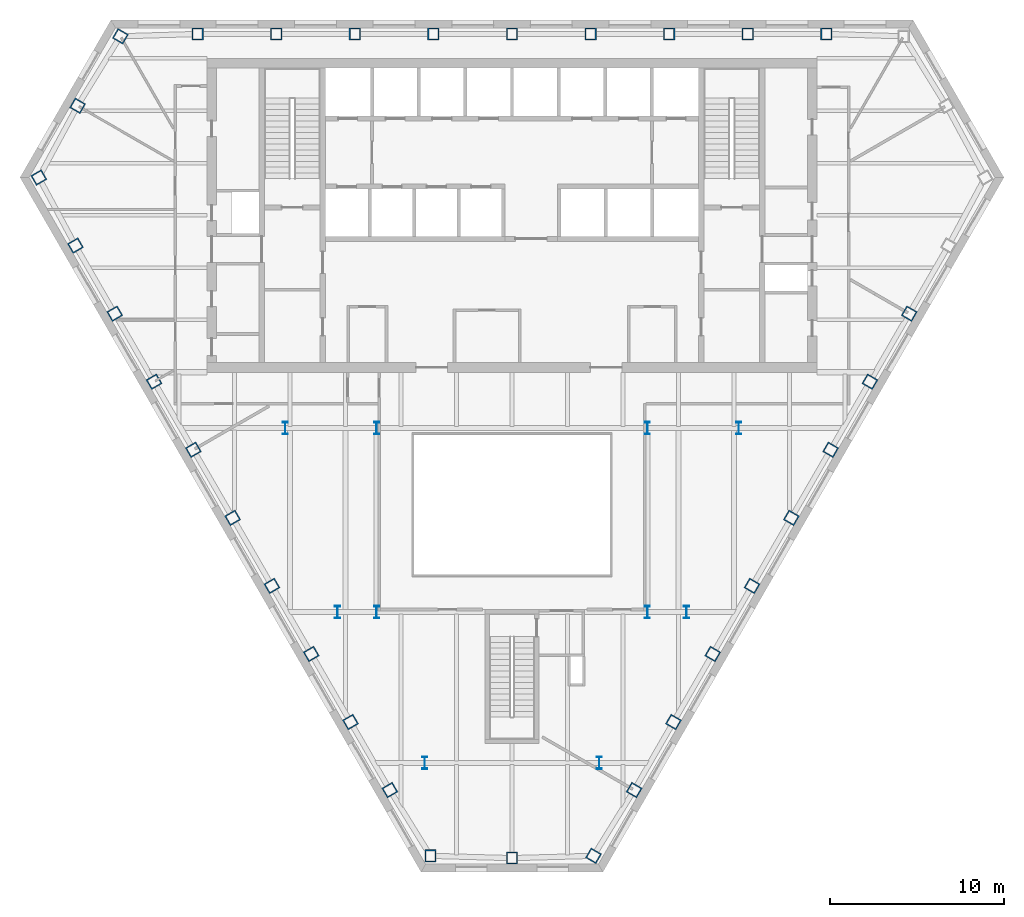
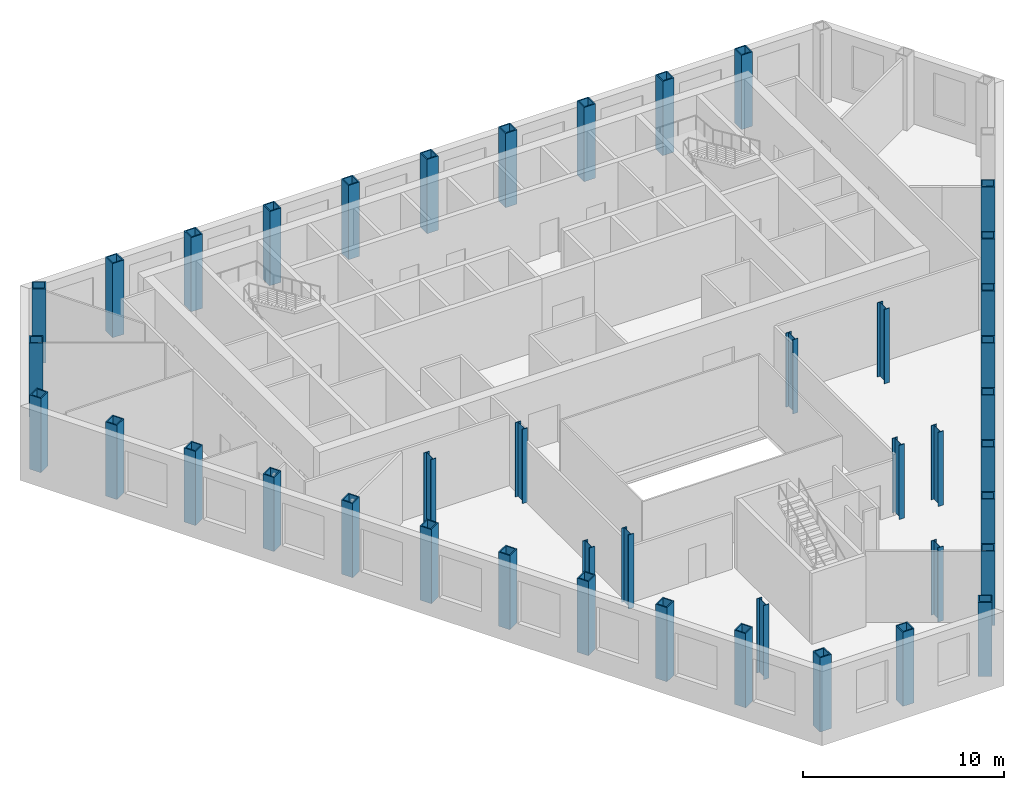
# One storey, part 1 of 11: 42 columns.
"""IFC4 building model written with IfcOpenShell, lengths in metres."""

from ifc_helpers import new_model, si_unit, direction, frame, origin, origin_2d, place, context, subcontext, project, spatial, hollow_rectangle, i_section, extrude, material, material_profile, profile_set, type_object, element, save


model = new_model("IFC4")

# Units and contexts
model_context = context("Model", 3, precision=1e-05, world=origin(), true_north=direction((0.0, 1.0)))
body_context = subcontext(model_context, "Body", "Model", "MODEL_VIEW")
ifc_project = project(units=[si_unit("LENGTHUNIT", "METRE"), si_unit("AREAUNIT", "SQUARE_METRE"), si_unit("VOLUMEUNIT", "CUBIC_METRE"), si_unit("PLANEANGLEUNIT", "RADIAN"), si_unit("MASSUNIT", "GRAM", prefix="KILO")], contexts=[model_context])

# Site, building, storey
site_placement = place(None, origin())
site = spatial("IfcSite", under=ifc_project, at=site_placement, CompositionType="ELEMENT")
building_placement = place(site_placement, origin())
building = spatial("IfcBuilding", under=site, at=building_placement, Name="Njiva Tower", CompositionType="ELEMENT")
storey_placement = place(building_placement, frame((0.0, 0.0, 88.8)))
storey = spatial("IfcBuildingStorey", under=building, at=storey_placement, Name="L18", CompositionType="ELEMENT", Elevation=88.8)

# Columns
ifc_material = material(Name="Steel S355 J2", Category="steel")
ifc_material_profile_1 = material_profile(ifc_material, hollow_rectangle(XDim=0.65, YDim=0.7, WallThickness=0.065, at=origin_2d()), Name="BOX 700x650x65")
ifc_profile_set_1 = profile_set([ifc_material_profile_1], Name="Steel S355 J2")
column_type_1 = type_object("IfcColumnType", Name="C7 Perimeter tube column BOX 700x650x65", PredefinedType="COLUMN", material=ifc_profile_set_1)
for number, where, z_axis, x_axis, name in (
    (1, (18.026, 19.4, 0.0), (0.0, 0.0, 1.0), (-1.0, 0.0, 0.0), "Perimeter tube column S06-C02"),
    (2, (13.52, 19.4, 0.0), (0.0, 0.0, 1.0), (-1.0, 0.0, 0.0), "Perimeter tube column S06-C03"),
    (3, (9.013, 19.4, 0.0), (0.0, 0.0, 1.0), (-1.0, 0.0, 0.0), "Perimeter tube column S06-C04"),
    (4, (4.507, 19.4, 0.0), (0.0, 0.0, 1.0), (-1.0, 0.0, 0.0), "Perimeter tube column S06-C05"),
    (5, (0.0, 19.4, 0.0), (0.0, 0.0, 1.0), (-1.0, 0.0, 0.0), "Perimeter tube column S06-C06"),
    (6, (-4.507, 19.4, 0.0), (0.0, 0.0, 1.0), (-1.0, 0.0, 0.0), "Perimeter tube column S06-C07"),
    (7, (-9.013, 19.4, 0.0), (0.0, 0.0, 1.0), (-1.0, 0.0, 0.0), "Perimeter tube column S06-C08"),
    (8, (-13.52, 19.4, 0.0), (0.0, 0.0, 1.0), (-1.0, 0.0, 0.0), "Perimeter tube column S06-C09"),
    (9, (-18.026, 19.4, 0.0), (0.0, 0.0, 1.0), (-1.0, 0.0, 0.0), "Perimeter tube column S06-C10"),
    (10, (-22.456, 19.267, 0.0), (0.0, 0.0, 1.0), (-0.5, -0.866025403784, 0.0), "Perimeter tube column S06-C11"),
    (11, (-24.91, 15.284, 0.0), (0.0, 0.0, 1.0), (-0.5, -0.866025403784, 0.0), "Perimeter tube column S06-C12"),
    (12, (-27.133, 11.167, 0.0), (0.0, 0.0, 1.0), (0.5, -0.866025403784, 0.0), "Perimeter tube column S06-C13"),
    (13, (-25.033, 7.265, 0.0), (0.0, 0.0, 1.0), (0.5, -0.866025403784, 0.0), "Perimeter tube column S06-C14"),
    (14, (-22.78, 3.362, 0.0), (0.0, 0.0, 1.0), (0.5, -0.866025403784, 0.0), "Perimeter tube column S06-C15"),
    (15, (-20.526, -0.541, 0.0), (0.0, 0.0, 1.0), (0.5, -0.866025403784, 0.0), "Perimeter tube column S06-C16"),
    (16, (-18.273, -4.444, 0.0), (0.0, 0.0, 1.0), (0.5, -0.866025403784, 0.0), "Perimeter tube column S06-C17"),
    (17, (-16.02, -8.347, 0.0), (0.0, 0.0, 1.0), (0.5, -0.866025403784, 0.0), "Perimeter tube column S06-C18"),
    (18, (-13.766, -12.25, 0.0), (0.0, 0.0, 1.0), (0.5, -0.866025403784, 0.0), "Perimeter tube column S06-C19"),
    (19, (-11.513, -16.153, 0.0), (0.0, 0.0, 1.0), (0.5, -0.866025403784, 0.0), "Perimeter tube column S06-C20"),
    (20, (-9.26, -20.055, 0.0), (0.0, 0.0, 1.0), (0.5, -0.866025403784, 0.0), "Perimeter tube column S06-C21"),
    (21, (-7.006, -23.958, 0.0), (0.0, 0.0, 1.0), (0.5, -0.866025403784, 0.0), "Perimeter tube column S06-C22"),
    (22, (-4.676, -27.728, 0.0), (0.0, 0.0, 1.0), (1.0, 0.0, 0.0), "Perimeter tube column S06-C23"),
    (23, (0.0, -27.861, 0.0), (0.0, 0.0, 1.0), (1.0, 0.0, 0.0), "Perimeter tube column S06-C24"),
    (24, (4.676, -27.728, 0.0), (0.0, 0.0, 1.0), (0.5, 0.866025403784, 0.0), "Perimeter tube column S06-C25"),
    (25, (7.006, -23.958, 0.0), (0.0, 0.0, 1.0), (0.5, 0.866025403784, 0.0), "Perimeter tube column S06-C26"),
    (26, (9.26, -20.055, 0.0), (0.0, 0.0, 1.0), (0.5, 0.866025403784, 0.0), "Perimeter tube column S06-C27"),
    (27, (11.513, -16.153, 0.0), (0.0, 0.0, 1.0), (0.5, 0.866025403784, 0.0), "Perimeter tube column S06-C28"),
    (28, (13.766, -12.25, 0.0), (0.0, 0.0, 1.0), (0.5, 0.866025403784, 0.0), "Perimeter tube column S06-C29"),
    (29, (16.02, -8.347, 0.0), (0.0, 0.0, 1.0), (0.5, 0.866025403784, 0.0), "Perimeter tube column S06-C30"),
    (30, (18.273, -4.444, 0.0), (0.0, 0.0, 1.0), (0.5, 0.866025403784, 0.0), "Perimeter tube column S06-C31"),
    (31, (20.526, -0.541, 0.0), (0.0, 0.0, 1.0), (0.5, 0.866025403784, 0.0), "Perimeter tube column S06-C32"),
    (32, (22.78, 3.362, 0.0), (0.0, 0.0, 1.0), (0.5, 0.866025403784, 0.0), "Perimeter tube column S06-C33"),
):
    element("IfcColumn", number, at=place(storey_placement, frame(where, z_axis=z_axis, x_axis=x_axis)), inside=storey, type_object=column_type_1, Name=name, PredefinedType="COLUMN", context=body_context, shape_type="SweptSolid", body=[
        extrude(hollow_rectangle(XDim=0.65, YDim=0.7, WallThickness=0.065, at=origin_2d()), origin(), (0.0, 0.0, 1.0), 4.5),
    ])
ifc_material_profile_2 = material_profile(ifc_material, i_section(OverallWidth=0.304, OverallDepth=0.716, WebThickness=0.021, FlangeThickness=0.04, at=origin_2d()), Name="HEM 700")
ifc_profile_set_2 = profile_set([ifc_material_profile_2], Name="Steel S355 J2")
column_type_2 = type_object("IfcColumnType", Name="C8 Interior column HEM 700", PredefinedType="COLUMN", material=ifc_profile_set_2)
for number, where, z_axis, x_axis, name in (
    (33, (7.76, -3.2, 0.0), (0.0, 0.0, 1.0), (1.0, 0.0, 0.0), "Interior column S06-C37"),
    (34, (-7.76, -3.2, 0.0), (0.0, 0.0, 1.0), (1.0, 0.0, 0.0), "Interior column S06-C38"),
    (35, (7.76, -13.75, 0.0), (0.0, 0.0, 1.0), (1.0, 0.0, 0.0), "Interior column S06-C39"),
    (36, (-7.76, -13.75, 0.0), (0.0, 0.0, 1.0), (1.0, 0.0, 0.0), "Interior column S06-C40"),
    (37, (5.0, -22.4, 0.0), (0.0, 0.0, 1.0), (1.0, 0.0, 0.0), "Interior column S06-C41"),
    (38, (-5.0, -22.4, 0.0), (0.0, 0.0, 1.0), (1.0, 0.0, 0.0), "Interior column S06-C42"),
    (39, (13.0, -3.2, 0.0), (0.0, 0.0, 1.0), (1.0, 0.0, 0.0), "Interior column S06-C43"),
    (40, (-13.0, -3.2, 0.0), (0.0, 0.0, 1.0), (1.0, 0.0, 0.0), "Interior column S06-C44"),
    (41, (10.0, -13.75, 0.0), (0.0, 0.0, 1.0), (1.0, 0.0, 0.0), "Interior column S06-C45"),
    (42, (-10.0, -13.75, 0.0), (0.0, 0.0, 1.0), (1.0, 0.0, 0.0), "Interior column S06-C46"),
):
    element("IfcColumn", number, at=place(storey_placement, frame(where, z_axis=z_axis, x_axis=x_axis)), inside=storey, type_object=column_type_2, Name=name, PredefinedType="COLUMN", context=body_context, shape_type="SweptSolid", body=[
        extrude(i_section(OverallWidth=0.304, OverallDepth=0.716, WebThickness=0.021, FlangeThickness=0.04, at=origin_2d()), origin(), (0.0, 0.0, 1.0), 4.5),
    ])

save(model, "model.ifc")
